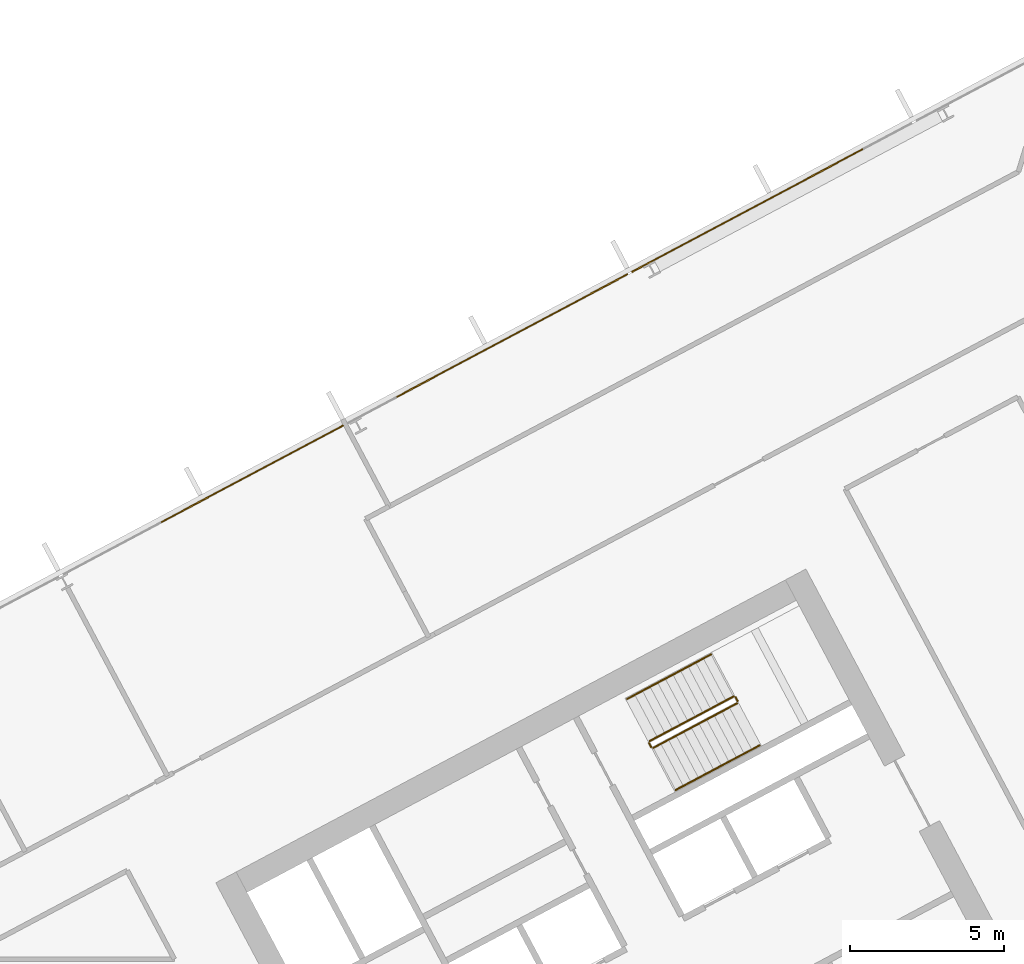
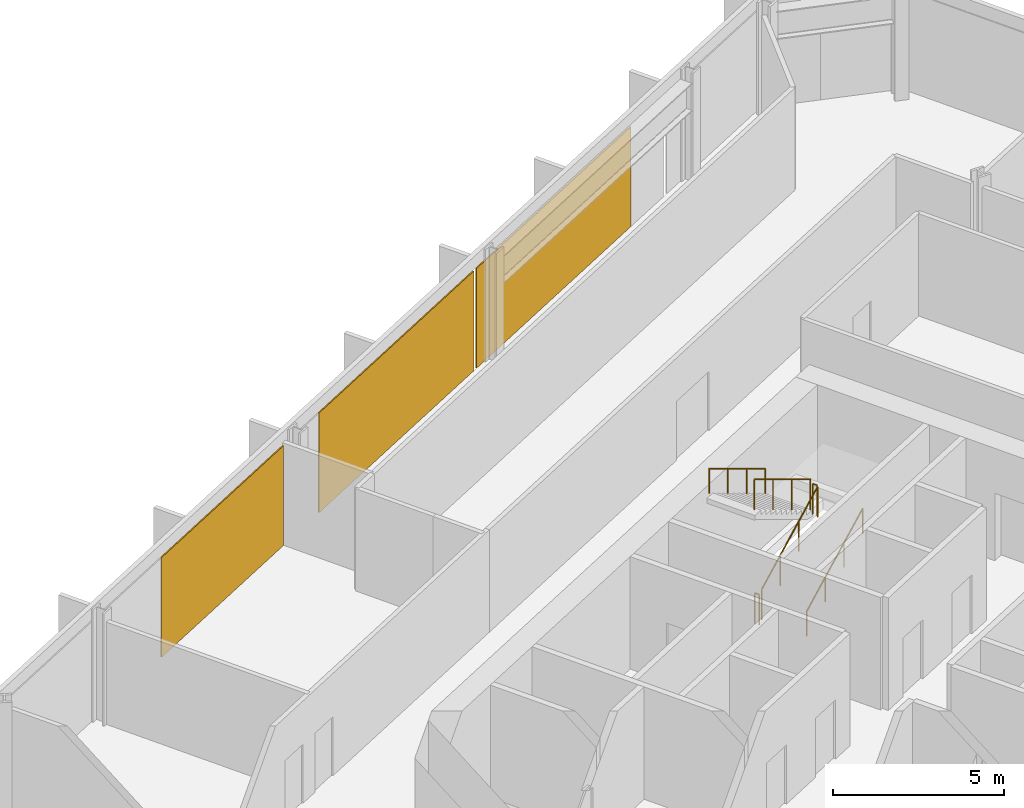
# One storey, part 27 of 28: 6 railings, 3 coverings, 1 element without a shape of its own.
"""IFC4 building model written with IfcOpenShell, lengths in metres."""

from ifc_helpers import new_model, si_unit, direction, frame, origin, origin_2d, place, context, subcontext, project, spatial, polyline, rectangle, outline, extrude, material, layer, layer_set, type_object, element, aggregate, save


model = new_model("IFC4")

# Units and contexts
model_context = context("Model", 3, precision=1e-05, world=origin(), true_north=direction((0.0, 1.0)))
body_context = subcontext(model_context, "Body", "Model", "MODEL_VIEW")
ifc_project = project(units=[si_unit("LENGTHUNIT", "METRE"), si_unit("AREAUNIT", "SQUARE_METRE"), si_unit("VOLUMEUNIT", "CUBIC_METRE"), si_unit("PLANEANGLEUNIT", "RADIAN"), si_unit("MASSUNIT", "GRAM", prefix="KILO")], contexts=[model_context])

# Site, building, storey
site_placement = place(None, origin())
site = spatial("IfcSite", under=ifc_project, at=site_placement, CompositionType="ELEMENT")
building_placement = place(site_placement, origin())
building = spatial("IfcBuilding", under=site, at=building_placement, Name="Cormorant Relay Tower", CompositionType="ELEMENT")
storey_placement = place(building_placement, frame((0.0, 0.0, 126.199951171875)))
storey = spatial("IfcBuildingStorey", under=building, at=storey_placement, Name="L25", CompositionType="ELEMENT", Elevation=126.199951171875)

# Curtain wall, coverings
ifc_material_1 = material(Name="Aluminium 6063-T6 anodised bronze", Category="aluminium")
ifc_layer_1 = layer(ifc_material_1, 0.199951171875)
ifc_layer_set_1 = layer_set([ifc_layer_1], Name="CW1 unitised bronze curtain wall with vertical fins")
curtain_wall_type = type_object("IfcCurtainWallType", Name="CW1 unitised bronze curtain wall with vertical fins", PredefinedType="NOTDEFINED", material=ifc_layer_set_1)
curtain_wall_placement = place(storey_placement, origin())
curtain_wall = element("IfcCurtainWall", 1, at=curtain_wall_placement, inside=storey, type_object=curtain_wall_type, Name="CW1 curtain wall 8", PredefinedType="NOTDEFINED")
ifc_material_2 = material(Name="Pale bronze anodised aluminium insulated panel", Category="aluminium")
ifc_layer_2 = layer(ifc_material_2, 0.0400390625)
ifc_layer_set_2 = layer_set([ifc_layer_2], Name="CW1 pale bronze insulated panel 40")
covering_type = type_object("IfcCoveringType", Name="CW1 pale bronze insulated panel 40", PredefinedType="CLADDING", material=ifc_layer_set_2)
covering_1_placement = place(storey_placement, frame((26.89892578125, 38.10888671875, 0.0), z_axis=(0.0, 0.0, 1.0), x_axis=(-0.882947592859, -0.469471562786, 0.0)))
covering_1 = element("IfcCovering", 2, at=covering_1_placement, type_object=covering_type, Name="CW1 panel S02", PredefinedType="CLADDING", context=body_context, shape_type="SweptSolid", body=[
    extrude(rectangle(XDim=8.508544921875, YDim=0.0400390625, at=origin_2d()), origin(), (0.0, 0.0, 1.0), 3.550048828125),
])
covering_2_placement = place(storey_placement, frame((19.25390625, 34.044189453125, 0.0), z_axis=(0.0, 0.0, 1.0), x_axis=(-0.882947592859, -0.469471562786, 0.0)))
covering_2 = element("IfcCovering", 3, at=covering_2_placement, type_object=covering_type, Name="CW1 panel S03", PredefinedType="CLADDING", context=body_context, shape_type="SweptSolid", body=[
    extrude(rectangle(XDim=8.508544921875, YDim=0.0400390625, at=origin_2d()), origin(), (0.0, 0.0, 1.0), 3.550048828125),
])
covering_3_placement = place(storey_placement, frame((10.814208984375, 29.556640625, 0.0), z_axis=(0.0, 0.0, 1.0), x_axis=(-0.882947592859, -0.469471562786, 0.0)))
covering_3 = element("IfcCovering", 4, at=covering_3_placement, type_object=covering_type, Name="CW1 panel S05", PredefinedType="CLADDING", context=body_context, shape_type="SweptSolid", body=[
    extrude(rectangle(XDim=6.70849609375, YDim=0.0400390625, at=origin_2d()), origin(), (0.0, 0.0, 1.0), 3.550048828125),
])
aggregate(curtain_wall, [covering_1, covering_2, covering_3])

# Railings
ifc_material_3 = material(Name="Steel ASTM A572 Grade 50 (Fy 345 MPa)", Category="steel")
railing_type_1 = type_object("IfcRailingType", Name="Stair guard 1100", PredefinedType="GUARDRAIL", material=ifc_material_3)
railing_1_placement = place(storey_placement, frame((23.8408203125, 20.6611328125, 0.166748046875)))
element("IfcRailing", 5, at=railing_1_placement, inside=storey, type_object=railing_type_1, Name="L25 B2 stair guard 1", PredefinedType="GUARDRAIL", context=body_context, shape_type="SweptSolid", body=[
    extrude(outline(polyline([(0.022216796875, 0.00927734375), (0.00927734375, 0.022216796875), (-0.00927734375, 0.022216796875), (-0.022216796875, 0.00927734375), (-0.022216796875, -0.00927734375), (-0.00927734375, -0.022216796875), (0.00927734375, -0.022216796875), (0.022216796875, -0.00927734375), (0.022216796875, 0.00927734375)])), frame((0.0, 0.0, 1.076171875), z_axis=(0.758734504837, 0.403377838015, 0.511476559549), x_axis=(-0.469427602063, 0.882970965786, 0.0)), (0.0, 0.0, 1.0), 3.584228515625),
    extrude(outline(polyline([(0.019287109375, 0.008056640625), (0.008056640625, 0.019287109375), (-0.008056640625, 0.019287109375), (-0.019287109375, 0.008056640625), (-0.019287109375, -0.008056640625), (-0.008056640625, -0.019287109375), (0.008056640625, -0.019287109375), (0.019287109375, -0.008056640625), (0.019287109375, 0.008056640625)])), origin(), (0.0, 0.0, 1.0), 1.052001953125),
    extrude(outline(polyline([(0.019287109375, 0.008056640625), (0.008056640625, 0.019287109375), (-0.008056640625, 0.019287109375), (-0.019287109375, 0.008056640625), (-0.019287109375, -0.008056640625), (-0.008056640625, -0.019287109375), (0.008056640625, -0.019287109375), (0.019287109375, -0.008056640625), (0.019287109375, 0.008056640625)])), frame((0.906494140625, 0.48193359375, 0.611083984375)), (0.0, 0.0, 1.0), 1.052001953125),
    extrude(outline(polyline([(0.019287109375, 0.008056640625), (0.008056640625, 0.019287109375), (-0.008056640625, 0.019287109375), (-0.019287109375, 0.008056640625), (-0.019287109375, -0.008056640625), (-0.008056640625, -0.019287109375), (0.008056640625, -0.019287109375), (0.019287109375, -0.008056640625), (0.019287109375, 0.008056640625)])), frame((1.81298828125, 0.9638671875, 1.22216796875)), (0.0, 0.0, 1.0), 1.052001953125),
    extrude(outline(polyline([(0.019287109375, 0.008056640625), (0.008056640625, 0.019287109375), (-0.008056640625, 0.019287109375), (-0.019287109375, 0.008056640625), (-0.019287109375, -0.008056640625), (-0.008056640625, -0.019287109375), (0.008056640625, -0.019287109375), (0.019287109375, -0.008056640625), (0.019287109375, 0.008056640625)])), frame((2.719482421875, 1.44580078125, 1.833251953125)), (0.0, 0.0, 1.0), 1.052001953125),
])
railing_2_placement = place(storey_placement, frame((26.5810546875, 22.174560546875, 2.0)))
element("IfcRailing", 6, at=railing_2_placement, inside=storey, type_object=railing_type_1, Name="L25 B2 stair guard 2", PredefinedType="GUARDRAIL", context=body_context, shape_type="SweptSolid", body=[
    extrude(outline(polyline([(0.022216796875, 0.00927734375), (0.00927734375, 0.022216796875), (-0.00927734375, 0.022216796875), (-0.022216796875, 0.00927734375), (-0.022216796875, -0.00927734375), (-0.00927734375, -0.022216796875), (0.00927734375, -0.022216796875), (0.022216796875, -0.00927734375), (0.022216796875, 0.00927734375)])), frame((0.0, 0.0, 1.076171875), z_axis=(-0.469828648786, 0.882757634224, 0.0), x_axis=(-0.882757634224, -0.469828648786, 0.0)), (0.0, 0.0, 1.0), 0.150146484375),
    extrude(outline(polyline([(0.019287109375, 0.008056640625), (0.008056640625, 0.019287109375), (-0.008056640625, 0.019287109375), (-0.019287109375, 0.008056640625), (-0.019287109375, -0.008056640625), (-0.008056640625, -0.019287109375), (0.008056640625, -0.019287109375), (0.019287109375, -0.008056640625), (0.019287109375, 0.008056640625)])), origin(), (0.0, 0.0, 1.0), 1.052001953125),
    extrude(outline(polyline([(0.019287109375, 0.008056640625), (0.008056640625, 0.019287109375), (-0.008056640625, 0.019287109375), (-0.019287109375, 0.008056640625), (-0.019287109375, -0.008056640625), (-0.008056640625, -0.019287109375), (0.008056640625, -0.019287109375), (0.019287109375, -0.008056640625), (0.019287109375, 0.008056640625)])), frame((-0.070556640625, 0.132568359375, 0.0)), (0.0, 0.0, 1.0), 1.052001953125),
])
railing_3_placement = place(storey_placement, frame((26.44287109375, 22.32763671875, 2.166748046875)))
element("IfcRailing", 7, at=railing_3_placement, inside=storey, type_object=railing_type_1, Name="L25 B2 stair guard 3", PredefinedType="GUARDRAIL", context=body_context, shape_type="SweptSolid", body=[
    extrude(outline(polyline([(0.022216796875, 0.00927734375), (0.00927734375, 0.022216796875), (-0.00927734375, 0.022216796875), (-0.022216796875, 0.00927734375), (-0.022216796875, -0.00927734375), (-0.00927734375, -0.022216796875), (0.00927734375, -0.022216796875), (0.022216796875, -0.00927734375), (0.022216796875, 0.00927734375)])), frame((0.0, 0.0, 1.076171875), z_axis=(-0.758734504837, -0.403377838015, 0.511476559549), x_axis=(0.469427602063, -0.882970965786, 0.0)), (0.0, 0.0, 1.0), 3.584228515625),
    extrude(outline(polyline([(0.019287109375, 0.008056640625), (0.008056640625, 0.019287109375), (-0.008056640625, 0.019287109375), (-0.019287109375, 0.008056640625), (-0.019287109375, -0.008056640625), (-0.008056640625, -0.019287109375), (0.008056640625, -0.019287109375), (0.019287109375, -0.008056640625), (0.019287109375, 0.008056640625)])), origin(), (0.0, 0.0, 1.0), 1.052001953125),
    extrude(outline(polyline([(0.019287109375, 0.008056640625), (0.008056640625, 0.019287109375), (-0.008056640625, 0.019287109375), (-0.019287109375, 0.008056640625), (-0.019287109375, -0.008056640625), (-0.008056640625, -0.019287109375), (0.008056640625, -0.019287109375), (0.019287109375, -0.008056640625), (0.019287109375, 0.008056640625)])), frame((-0.906494140625, -0.48193359375, 0.611083984375)), (0.0, 0.0, 1.0), 1.052001953125),
    extrude(outline(polyline([(0.019287109375, 0.008056640625), (0.008056640625, 0.019287109375), (-0.008056640625, 0.019287109375), (-0.019287109375, 0.008056640625), (-0.019287109375, -0.008056640625), (-0.008056640625, -0.019287109375), (0.008056640625, -0.019287109375), (0.019287109375, -0.008056640625), (0.019287109375, 0.008056640625)])), frame((-1.81298828125, -0.9638671875, 1.22216796875)), (0.0, 0.0, 1.0), 1.052001953125),
    extrude(outline(polyline([(0.019287109375, 0.008056640625), (0.008056640625, 0.019287109375), (-0.008056640625, 0.019287109375), (-0.019287109375, 0.008056640625), (-0.019287109375, -0.008056640625), (-0.008056640625, -0.019287109375), (0.008056640625, -0.019287109375), (0.019287109375, -0.008056640625), (0.019287109375, 0.008056640625)])), frame((-2.719482421875, -1.44580078125, 1.833251953125)), (0.0, 0.0, 1.0), 1.052001953125),
])
railing_4_placement = place(storey_placement, frame((23.773193359375, 20.681640625, 0.0)))
element("IfcRailing", 8, at=railing_4_placement, inside=storey, type_object=railing_type_1, Name="L25 B2 stair guard 4", PredefinedType="GUARDRAIL", context=body_context, shape_type="SweptSolid", body=[
    extrude(outline(polyline([(0.022216796875, 0.00927734375), (0.00927734375, 0.022216796875), (-0.00927734375, 0.022216796875), (-0.022216796875, 0.00927734375), (-0.022216796875, -0.00927734375), (-0.00927734375, -0.022216796875), (0.00927734375, -0.022216796875), (0.022216796875, -0.00927734375), (0.022216796875, 0.00927734375)])), frame((0.0, 0.0, 1.076171875), z_axis=(-0.46856034887, 0.8834314911, 0.0), x_axis=(-0.8834314911, -0.46856034887, 0.0)), (0.0, 0.0, 1.0), 0.150146484375),
    extrude(outline(polyline([(0.019287109375, 0.008056640625), (0.008056640625, 0.019287109375), (-0.008056640625, 0.019287109375), (-0.019287109375, 0.008056640625), (-0.019287109375, -0.008056640625), (-0.008056640625, -0.019287109375), (0.008056640625, -0.019287109375), (0.019287109375, -0.008056640625), (0.019287109375, 0.008056640625)])), origin(), (0.0, 0.0, 1.0), 1.052001953125),
    extrude(outline(polyline([(0.019287109375, 0.008056640625), (0.008056640625, 0.019287109375), (-0.008056640625, 0.019287109375), (-0.019287109375, 0.008056640625), (-0.019287109375, -0.008056640625), (-0.008056640625, -0.019287109375), (0.008056640625, -0.019287109375), (0.019287109375, -0.008056640625), (0.019287109375, 0.008056640625)])), frame((-0.0703125, 0.132568359375, 0.0)), (0.0, 0.0, 1.0), 1.052001953125),
])
ifc_material_4 = material(Name="Steel ASTM A572 Grade 50 (Fy 345 MPa)", Category="steel")
railing_type_2 = type_object("IfcRailingType", Name="Stair handrail 900", PredefinedType="HANDRAIL", material=ifc_material_4)
railing_5_placement = place(storey_placement, frame((24.568603515625, 19.29248046875, 0.166748046875)))
element("IfcRailing", 9, at=railing_5_placement, inside=storey, type_object=railing_type_2, Name="L25 B2 stair handrail 1", PredefinedType="HANDRAIL", context=body_context, shape_type="SweptSolid", body=[
    extrude(outline(polyline([(0.022216796875, 0.00927734375), (0.00927734375, 0.022216796875), (-0.00927734375, 0.022216796875), (-0.022216796875, 0.00927734375), (-0.022216796875, -0.00927734375), (-0.00927734375, -0.022216796875), (0.00927734375, -0.022216796875), (0.022216796875, -0.00927734375), (0.022216796875, 0.00927734375)])), frame((0.0, 0.0, 0.8759765625), z_axis=(0.758713656843, 0.403434867536, 0.511462505542), x_axis=(-0.469489399267, 0.882938108802, 0.0)), (0.0, 0.0, 1.0), 3.584228515625),
    extrude(outline(polyline([(0.019287109375, 0.008056640625), (0.008056640625, 0.019287109375), (-0.008056640625, 0.019287109375), (-0.019287109375, 0.008056640625), (-0.019287109375, -0.008056640625), (-0.008056640625, -0.019287109375), (0.008056640625, -0.019287109375), (0.019287109375, -0.008056640625), (0.019287109375, 0.008056640625)])), origin(), (0.0, 0.0, 1.0), 0.851806640625),
    extrude(outline(polyline([(0.019287109375, 0.008056640625), (0.008056640625, 0.019287109375), (-0.008056640625, 0.019287109375), (-0.019287109375, 0.008056640625), (-0.019287109375, -0.008056640625), (-0.008056640625, -0.019287109375), (0.008056640625, -0.019287109375), (0.019287109375, -0.008056640625), (0.019287109375, 0.008056640625)])), frame((0.906494140625, 0.48193359375, 0.611083984375)), (0.0, 0.0, 1.0), 0.851806640625),
    extrude(outline(polyline([(0.019287109375, 0.008056640625), (0.008056640625, 0.019287109375), (-0.008056640625, 0.019287109375), (-0.019287109375, 0.008056640625), (-0.019287109375, -0.008056640625), (-0.008056640625, -0.019287109375), (0.008056640625, -0.019287109375), (0.019287109375, -0.008056640625), (0.019287109375, 0.008056640625)])), frame((1.81298828125, 0.964111328125, 1.22216796875)), (0.0, 0.0, 1.0), 0.851806640625),
    extrude(outline(polyline([(0.019287109375, 0.008056640625), (0.008056640625, 0.019287109375), (-0.008056640625, 0.019287109375), (-0.019287109375, 0.008056640625), (-0.019287109375, -0.008056640625), (-0.008056640625, -0.019287109375), (0.008056640625, -0.019287109375), (0.019287109375, -0.008056640625), (0.019287109375, 0.008056640625)])), frame((2.719482421875, 1.446044921875, 1.833251953125)), (0.0, 0.0, 1.0), 0.851806640625),
])
railing_6_placement = place(storey_placement, frame((25.71533203125, 23.6962890625, 2.166748046875)))
element("IfcRailing", 10, at=railing_6_placement, inside=storey, type_object=railing_type_2, Name="L25 B2 stair handrail 2", PredefinedType="HANDRAIL", context=body_context, shape_type="SweptSolid", body=[
    extrude(outline(polyline([(0.022216796875, 0.00927734375), (0.00927734375, 0.022216796875), (-0.00927734375, 0.022216796875), (-0.022216796875, 0.00927734375), (-0.022216796875, -0.00927734375), (-0.00927734375, -0.022216796875), (0.00927734375, -0.022216796875), (0.022216796875, -0.00927734375), (0.022216796875, 0.00927734375)])), frame((0.0, 0.0, 0.8759765625), z_axis=(-0.758713656843, -0.403434867536, 0.511462505542), x_axis=(0.469489399267, -0.882938108802, 0.0)), (0.0, 0.0, 1.0), 3.584228515625),
    extrude(outline(polyline([(0.019287109375, 0.008056640625), (0.008056640625, 0.019287109375), (-0.008056640625, 0.019287109375), (-0.019287109375, 0.008056640625), (-0.019287109375, -0.008056640625), (-0.008056640625, -0.019287109375), (0.008056640625, -0.019287109375), (0.019287109375, -0.008056640625), (0.019287109375, 0.008056640625)])), origin(), (0.0, 0.0, 1.0), 0.851806640625),
    extrude(outline(polyline([(0.019287109375, 0.008056640625), (0.008056640625, 0.019287109375), (-0.008056640625, 0.019287109375), (-0.019287109375, 0.008056640625), (-0.019287109375, -0.008056640625), (-0.008056640625, -0.019287109375), (0.008056640625, -0.019287109375), (0.019287109375, -0.008056640625), (0.019287109375, 0.008056640625)])), frame((-0.906494140625, -0.48193359375, 0.611083984375)), (0.0, 0.0, 1.0), 0.851806640625),
    extrude(outline(polyline([(0.019287109375, 0.008056640625), (0.008056640625, 0.019287109375), (-0.008056640625, 0.019287109375), (-0.019287109375, 0.008056640625), (-0.019287109375, -0.008056640625), (-0.008056640625, -0.019287109375), (0.008056640625, -0.019287109375), (0.019287109375, -0.008056640625), (0.019287109375, 0.008056640625)])), frame((-1.81298828125, -0.964111328125, 1.22216796875)), (0.0, 0.0, 1.0), 0.851806640625),
    extrude(outline(polyline([(0.019287109375, 0.008056640625), (0.008056640625, 0.019287109375), (-0.008056640625, 0.019287109375), (-0.019287109375, 0.008056640625), (-0.019287109375, -0.008056640625), (-0.008056640625, -0.019287109375), (0.008056640625, -0.019287109375), (0.019287109375, -0.008056640625), (0.019287109375, 0.008056640625)])), frame((-2.719482421875, -1.446044921875, 1.833251953125)), (0.0, 0.0, 1.0), 0.851806640625),
])

save(model, "model.ifc")
